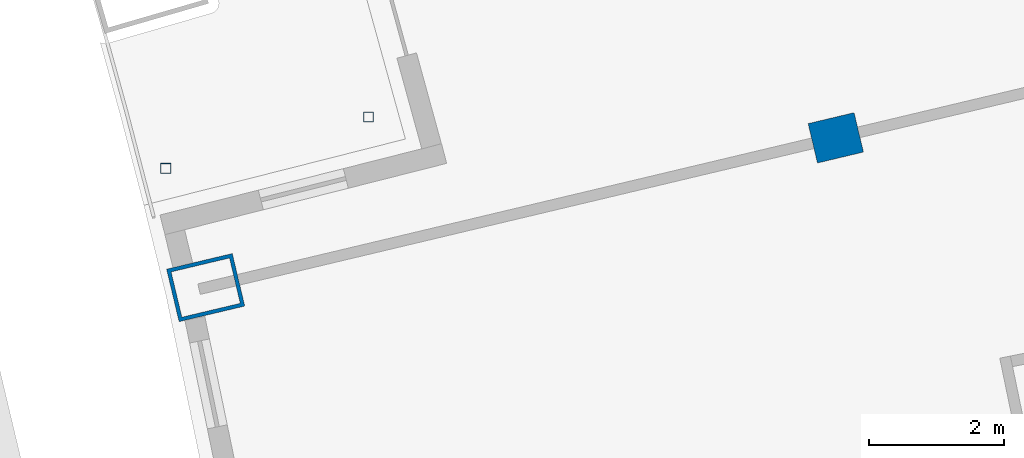
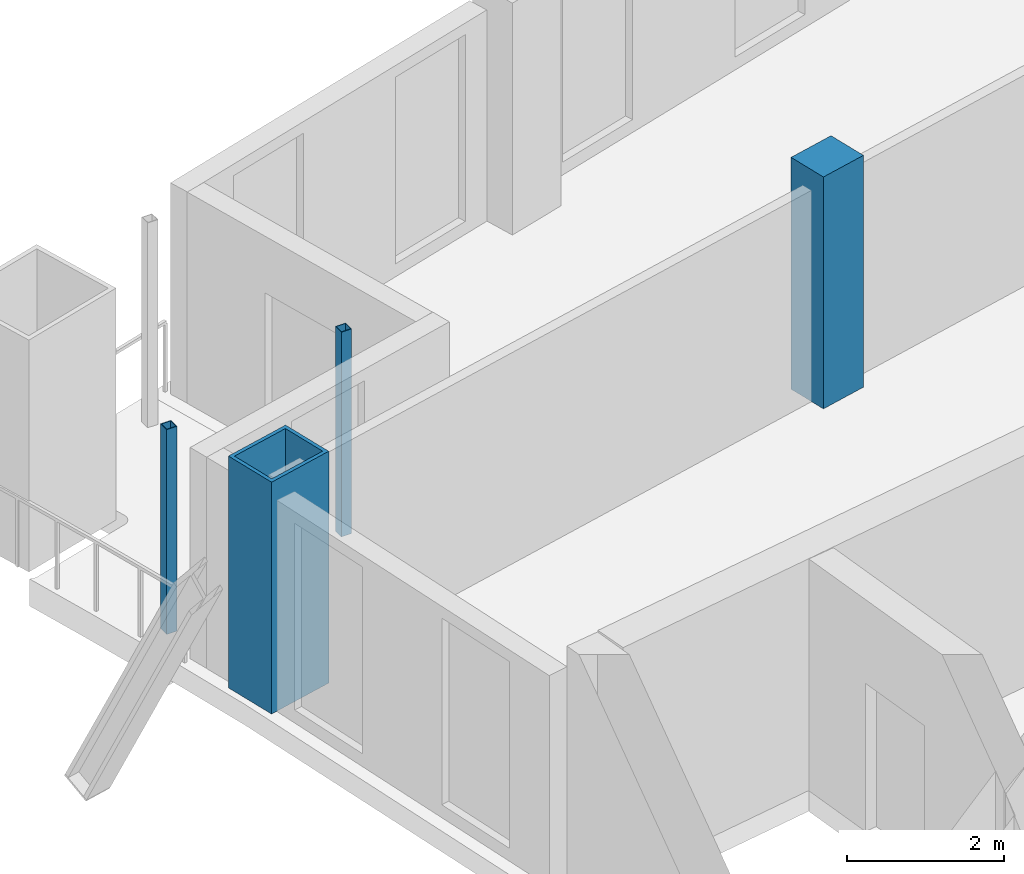
# One storey, part 3 of 17: 4 columns.
"""IFC4 building model written with IfcOpenShell, lengths in metres."""

from ifc_helpers import new_model, si_unit, direction, frame, origin, origin_2d, place, context, subcontext, project, spatial, rectangle, hollow_rectangle, extrude, material, material_profile, profile_set, type_object, element, save


model = new_model("IFC4")

# Units and contexts
model_context = context("Model", 3, precision=1e-05, world=origin(), true_north=direction((0.0, 1.0)))
body_context = subcontext(model_context, "Body", "Model", "MODEL_VIEW")
ifc_project = project(units=[si_unit("LENGTHUNIT", "METRE"), si_unit("AREAUNIT", "SQUARE_METRE"), si_unit("VOLUMEUNIT", "CUBIC_METRE"), si_unit("PLANEANGLEUNIT", "RADIAN"), si_unit("MASSUNIT", "GRAM", prefix="KILO")], contexts=[model_context])

# Site, building, storey
site_placement = place(None, origin())
site = spatial("IfcSite", under=ifc_project, at=site_placement, CompositionType="ELEMENT")
building_placement = place(site_placement, origin())
building = spatial("IfcBuilding", under=site, at=building_placement, Name="Alderwake Tower", CompositionType="ELEMENT")
storey_placement = place(building_placement, frame((0.0, 0.0, 278.0)))
storey = spatial("IfcBuildingStorey", under=building, at=storey_placement, Name="L69", CompositionType="ELEMENT", Elevation=278.0)

# Columns
ifc_material_1 = material(Name="Concrete C70/85", Category="concrete")
ifc_material_profile_1 = material_profile(ifc_material_1, rectangle(XDim=0.60009765625, YDim=0.699951171875, at=origin_2d()), Name="RC 700X600")
ifc_profile_set_1 = profile_set([ifc_material_profile_1], Name="Concrete C70/85")
column_type_1 = type_object("IfcColumnType", Name="Interior column Z5", PredefinedType="COLUMN", material=ifc_profile_set_1)
column_1_placement = place(storey_placement, frame((23.322021484375, 85.555908203125, 0.0), z_axis=(0.0, 0.0, 1.0), x_axis=(-0.231221547198, 0.972901123502, 0.0)))
element("IfcColumn", 1, at=column_1_placement, inside=storey, type_object=column_type_1, Name="Column R11-C1", PredefinedType="COLUMN", context=body_context, shape_type="SweptSolid", body=[
    extrude(rectangle(XDim=0.60009765625, YDim=0.699951171875, at=origin_2d()), origin(), (0.0, 0.0, 1.0), 3.60009765625),
])
ifc_material_2 = material(Name="Steel ASTM A500 Grade C", Category="steel")
ifc_material_profile_2 = material_profile(ifc_material_2, hollow_rectangle(XDim=0.15234375, YDim=0.15234375, WallThickness=0.0087890625, at=origin_2d()), Name="HSS6X6X3/8")
ifc_profile_set_2 = profile_set([ifc_material_profile_2], Name="Steel ASTM A500 Grade C")
column_type_2 = type_object("IfcColumnType", Name="Light post HSS6X6X3/8", PredefinedType="COLUMN", material=ifc_profile_set_2)
for number, where, z_axis, x_axis, name in (
    (2, (13.3896484375, 85.103515625, 0.0), (0.0, 0.0, 1.0), (1.0, 0.0, 0.0), "Terrace post RN1"),
    (3, (16.39501953125, 85.864013671875, 0.0), (0.0, 0.0, 1.0), (1.0, 0.0, 0.0), "Terrace post RN3"),
):
    element("IfcColumn", number, at=place(storey_placement, frame(where, z_axis=z_axis, x_axis=x_axis)), inside=storey, type_object=column_type_2, Name=name, PredefinedType="COLUMN", context=body_context, shape_type="SweptSolid", body=[
        extrude(hollow_rectangle(XDim=0.15234375, YDim=0.15234375, WallThickness=0.0087890625, at=origin_2d()), origin(), (0.0, 0.0, 1.0), 3.179931640625),
    ])
ifc_material_3 = material(Name="Steel ASTM A572 Grade 50 concrete filled C70/85", Category="concrete")
ifc_material_profile_3 = material_profile(ifc_material_3, hollow_rectangle(XDim=0.800048828125, YDim=1.0, WallThickness=0.054931640625, at=origin_2d()), Name="BOX 1000X800X55")
ifc_profile_set_3 = profile_set([ifc_material_profile_3], Name="Steel ASTM A572 Grade 50 concrete filled C70/85")
column_type_3 = type_object("IfcColumnType", Name="Perimeter column Z5", PredefinedType="COLUMN", material=ifc_profile_set_3)
column_2_placement = place(storey_placement, frame((13.982177734375, 83.3359375, 0.0), z_axis=(0.0, 0.0, 1.0), x_axis=(-0.231221547198, 0.972901123502, 0.0)))
element("IfcColumn", 4, at=column_2_placement, inside=storey, type_object=column_type_3, Name="Column R11-C0", PredefinedType="COLUMN", context=body_context, shape_type="SweptSolid", body=[
    extrude(hollow_rectangle(XDim=0.800048828125, YDim=1.0, WallThickness=0.054931640625, at=origin_2d()), origin(), (0.0, 0.0, 1.0), 3.60009765625),
])

save(model, "model.ifc")
